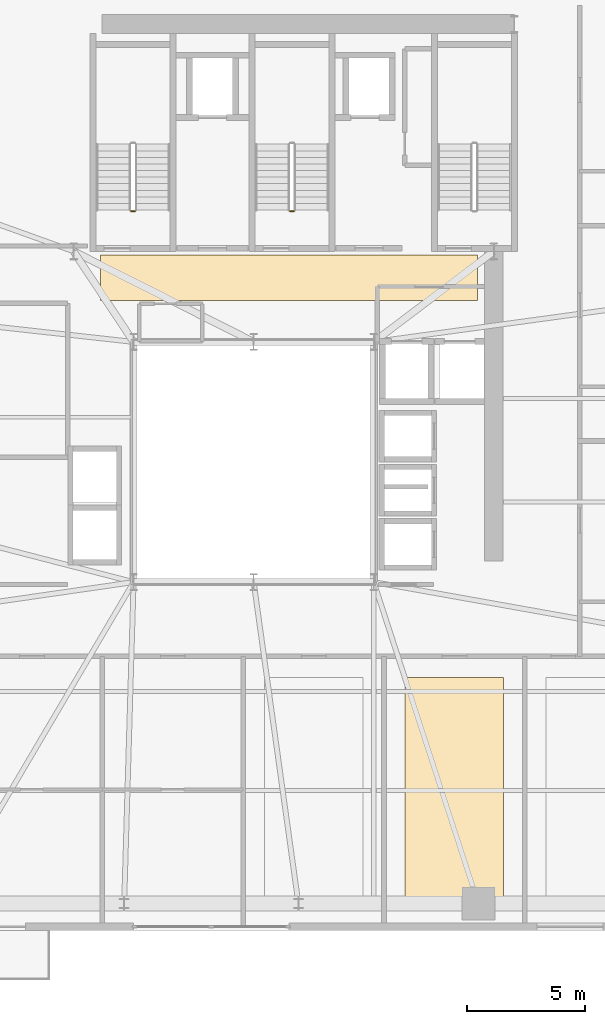
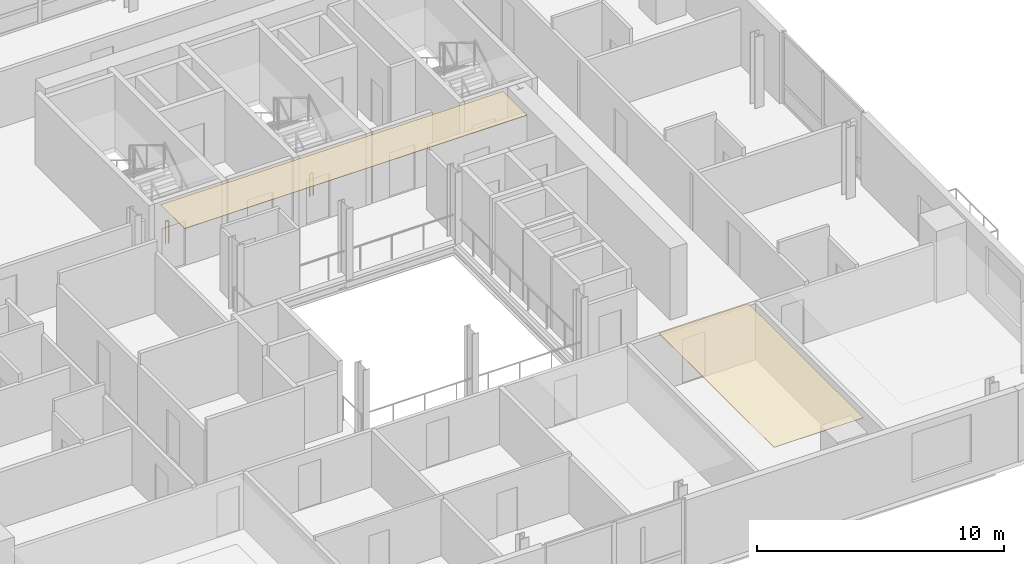
# One storey, part 13 of 16: 2 coverings, 2 railings.
"""IFC4 building model written with IfcOpenShell, lengths in metres."""

import ifcopenshell
import ifcopenshell.guid

model = None  # the IFC model being written
_history = None  # IfcOwnerHistory: only IFC2X3 demands one
_inside = {}  # id of a spatial element -> (the spatial element, [elements in it])
_under = {}  # id of a project, library or spatial element -> (it, [spatial elements below it])
_declared = {}  # id of a project -> (the project, [libraries it declares])
_typed = {}  # id of a type object -> (the type object, [elements of that type])
_made_of = {}  # id of a material, layer set ... -> (it, [elements and type objects made of it])


def new_model(schema):
    """Start an empty IFC model of exactly this schema.

    Asked for "IFC4X3", IfcOpenShell would pick the latest addendum, in which some entities
    have other attributes; the version numbers below select the first issue.
    IFC2X3 requires an IfcOwnerHistory on every rooted entity: one is made here for all.
    """
    global model, _history
    if schema == "IFC4X3":
        model = ifcopenshell.file(schema_version=(4, 3, 0, 0))
    else:
        model = ifcopenshell.file(schema=schema)
    _inside.clear()
    _under.clear()
    _declared.clear()
    _typed.clear()
    _made_of.clear()
    _history = None
    if model.schema == "IFC2X3":
        org = make("IfcOrganization", Name="unknown")
        user = make(
            "IfcPersonAndOrganization",
            ThePerson=make("IfcPerson", FamilyName="unknown"),
            TheOrganization=org,
        )
        app = make(
            "IfcApplication",
            ApplicationDeveloper=org,
            Version="unknown",
            ApplicationFullName="unknown",
            ApplicationIdentifier="unknown",
        )
        _history = make(
            "IfcOwnerHistory",
            OwningUser=user,
            OwningApplication=app,
            ChangeAction="ADDED",
            CreationDate=0,
        )
    return model


def make(cls, **values):
    """One entity of the class cls with the attributes given. An attribute that is None is left unset."""
    return model.create_entity(
        cls, **{name: value for name, value in values.items() if value is not None}
    )


def rooted(cls, **values):
    """An entity with a GlobalId (a new one), such as an element, a storey or a relation."""
    return make(cls, GlobalId=ifcopenshell.guid.new(), OwnerHistory=_history, **values)


def si_unit(unit_type, name, prefix=None):
    """IfcSIUnit, for example si_unit("LENGTHUNIT", "METRE", prefix="MILLI")."""
    return make("IfcSIUnit", UnitType=unit_type, Prefix=prefix, Name=name)


def assignment(units):
    """IfcUnitAssignment: the units of a project."""
    return None if units is None else make("IfcUnitAssignment", Units=units)


def point(xyz):
    """IfcCartesianPoint."""
    return None if xyz is None else make("IfcCartesianPoint", Coordinates=xyz)


def direction(xyz):
    """IfcDirection."""
    return None if xyz is None else make("IfcDirection", DirectionRatios=xyz)


def frame(location, z_axis=None, x_axis=None):
    """IfcAxis2Placement3D, a coordinate frame: its origin and axes. An axis left out is left unset."""
    return make(
        "IfcAxis2Placement3D",
        Location=point(location),
        Axis=direction(z_axis),
        RefDirection=direction(x_axis),
    )


def frame_2d(location, x_axis=None):
    """IfcAxis2Placement2D, a coordinate frame in the plane: its origin and x axis."""
    return make(
        "IfcAxis2Placement2D", Location=point(location), RefDirection=direction(x_axis)
    )


def origin():
    """The frame at (0, 0, 0) with its axes left unset."""
    return frame((0.0, 0.0, 0.0))


def origin_2d():
    """The frame at (0, 0) in the plane with its x axis left unset."""
    return frame_2d((0.0, 0.0))


def place(relative_to, where):
    """IfcLocalPlacement: puts the frame where relative to a parent placement (None: the world)."""
    return make(
        "IfcLocalPlacement", PlacementRelTo=relative_to, RelativePlacement=where
    )


def context(
    kind, dimensions, precision=None, world=None, true_north=None, identifier=None
):
    """IfcGeometricRepresentationContext, for example the 3D "Model" context."""
    return make(
        "IfcGeometricRepresentationContext",
        ContextIdentifier=identifier,
        ContextType=kind,
        CoordinateSpaceDimension=dimensions,
        Precision=precision,
        WorldCoordinateSystem=world,
        TrueNorth=true_north,
    )


def subcontext(parent, identifier, kind, view, scale=None):
    """IfcGeometricRepresentationSubContext, for example "Body" below "Model"."""
    return make(
        "IfcGeometricRepresentationSubContext",
        ContextIdentifier=identifier,
        ContextType=kind,
        ParentContext=parent,
        TargetScale=scale,
        TargetView=view,
    )


def project(units=None, contexts=None):
    """IfcProject with its units and contexts."""
    return rooted(
        "IfcProject",
        Name="project",
        RepresentationContexts=contexts,
        UnitsInContext=assignment(units),
    )


def spatial(cls, under=None, at=None, **own):
    """A site, building, storey or space (cls), placed at a placement, below another one or the project."""
    s = rooted(cls, ObjectPlacement=at, **own)
    if under is not None:
        _under.setdefault(under.id(), (under, []))[1].append(s)
    return s


def polyline(points):
    """IfcPolyline through the points."""
    return make("IfcPolyline", Points=[point(p) for p in points])


def profile(cls, at=None, kind="AREA", **sizes):
    """A parametric profile (cls). Its sizes go by their IFC names, for example OverallWidth=200.0."""
    return make(cls, ProfileType=kind, Position=at, **sizes)


def rectangle(**sizes):
    """IfcRectangleProfileDef."""
    return profile("IfcRectangleProfileDef", **sizes)


def outline(outer, holes=None, kind="AREA"):
    """IfcArbitraryClosedProfileDef: a profile drawn as a closed curve; with holes, ...WithVoids."""
    if holes is None:
        return make("IfcArbitraryClosedProfileDef", ProfileType=kind, OuterCurve=outer)
    return make(
        "IfcArbitraryProfileDefWithVoids",
        ProfileType=kind,
        OuterCurve=outer,
        InnerCurves=holes,
    )


def extrude(swept, where, along, depth):
    """IfcExtrudedAreaSolid: the profile swept, set in the frame where, extruded along a direction by depth."""
    return make(
        "IfcExtrudedAreaSolid",
        SweptArea=swept,
        Position=where,
        ExtrudedDirection=direction(along),
        Depth=depth,
    )


def shape(context_of_items, identifier, shape_type, items):
    """IfcShapeRepresentation: the items that make up one representation, for example the "Body"."""
    return make(
        "IfcShapeRepresentation",
        ContextOfItems=context_of_items,
        RepresentationIdentifier=identifier,
        RepresentationType=shape_type,
        Items=items,
    )


def source(mapping_origin, context_of_items, identifier, shape_type, items):
    """IfcRepresentationMap: a shape defined once, which mapped items show again and again."""
    return make(
        "IfcRepresentationMap",
        MappingOrigin=mapping_origin,
        MappedRepresentation=shape(context_of_items, identifier, shape_type, items),
    )


def transform(
    local_origin,
    x_axis=None,
    y_axis=None,
    z_axis=None,
    scale=None,
    scale2=None,
    scale3=None,
    uniform=True,
):
    """IfcCartesianTransformationOperator3D, or its non-uniform kind. x_axis, y_axis, z_axis: its Axis1, 2, 3."""
    if uniform:
        return make(
            "IfcCartesianTransformationOperator3D",
            Axis1=direction(x_axis),
            Axis2=direction(y_axis),
            LocalOrigin=point(local_origin),
            Scale=scale,
            Axis3=direction(z_axis),
        )
    return make(
        "IfcCartesianTransformationOperator3DnonUniform",
        Axis1=direction(x_axis),
        Axis2=direction(y_axis),
        LocalOrigin=point(local_origin),
        Scale=scale,
        Axis3=direction(z_axis),
        Scale2=scale2,
        Scale3=scale3,
    )


def mapped(mapping_source, mapping_target):
    """IfcMappedItem: shows the shape of a source again, moved by a transform."""
    return make(
        "IfcMappedItem", MappingSource=mapping_source, MappingTarget=mapping_target
    )


def material(Name=None, Category=None):
    """IfcMaterial."""
    return make("IfcMaterial", Name=Name, Category=Category)


def layer(
    of_material, thickness, ventilated=None, Name=None, Category=None, Priority=None
):
    """IfcMaterialLayer: one layer of a wall or slab, of a material (None: an air gap)."""
    return make(
        "IfcMaterialLayer",
        Material=of_material,
        LayerThickness=thickness,
        IsVentilated=ventilated,
        Name=Name,
        Category=Category,
        Priority=Priority,
    )


def layer_set(layers, Name=None):
    """IfcMaterialLayerSet."""
    return make("IfcMaterialLayerSet", MaterialLayers=layers, LayerSetName=Name)


def made_of(thing, what):
    """Note that an element or type object is made of a material, layer set ...; save() writes the relation."""
    if what is not None:
        _made_of.setdefault(what.id(), (what, []))[1].append(thing)
    return thing


def type_object(cls, material=None, **own):
    """A type object (cls), such as IfcWallType, which elements share."""
    return made_of(rooted(cls, **own), material)


def element(
    cls,
    number,
    at=None,
    inside=None,
    cuts=None,
    type_object=None,
    material=None,
    context=None,
    identifier="Body",
    shape_type=None,
    held_by="IfcProductDefinitionShape",
    body=None,
    shapes=None,
    **own,
):
    """One element of the class cls, such as IfcWall. Its Tag is "e" and its number.

    at: its placement. inside: the storey or other place that contains it. cuts: it is an
    opening in that element (IfcRelVoidsElement). A single representation is given by context,
    identifier, shape_type and body (its items); several are given by shapes. held_by: the class
    of the entity that holds the representations. save() writes the other relations.
    """
    e = rooted(cls, Tag="e%d" % number, ObjectPlacement=at, **own)
    if body is not None:
        shapes = [shape(context, identifier, shape_type, body)]
    if shapes is not None:
        e.Representation = make(held_by, Representations=shapes)
    if inside is not None:
        _inside.setdefault(inside.id(), (inside, []))[1].append(e)
    if cuts is not None:
        rooted(
            "IfcRelVoidsElement", RelatingBuildingElement=cuts, RelatedOpeningElement=e
        )
    if type_object is not None:
        _typed.setdefault(type_object.id(), (type_object, []))[1].append(e)
    return made_of(e, material)


def aggregate(whole, parts):
    """IfcRelAggregates: a whole, such as a stair, and the parts it consists of."""
    return rooted("IfcRelAggregates", RelatingObject=whole, RelatedObjects=parts)


def save(model, path):
    """Write the relations noted so far, then the file.

    IfcRelAggregates (storeys below a building ...), IfcRelContainedInSpatialStructure (elements
    in a storey), IfcRelDefinesByType, IfcRelAssociatesMaterial and IfcRelDeclares: one each for
    every whole, place, type object, material and project.
    """
    for whole, parts in _under.values():
        aggregate(whole, parts)
    for where, things in _inside.values():
        rooted(
            "IfcRelContainedInSpatialStructure",
            RelatedElements=things,
            RelatingStructure=where,
        )
    for kind, things in _typed.values():
        rooted("IfcRelDefinesByType", RelatedObjects=things, RelatingType=kind)
    for what, things in _made_of.values():
        rooted("IfcRelAssociatesMaterial", RelatedObjects=things, RelatingMaterial=what)
    for by, libraries in _declared.values():
        rooted("IfcRelDeclares", RelatingContext=by, RelatedDefinitions=libraries)
    model.write(path)


model = new_model("IFC4")

# Units and contexts
model_context = context("Model", 3, precision=1e-05, world=origin(), true_north=direction((0.0, 1.0)))
body_context = subcontext(model_context, "Body", "Model", "MODEL_VIEW")
ifc_project = project(units=[si_unit("LENGTHUNIT", "METRE"), si_unit("AREAUNIT", "SQUARE_METRE"), si_unit("VOLUMEUNIT", "CUBIC_METRE"), si_unit("PLANEANGLEUNIT", "RADIAN"), si_unit("MASSUNIT", "GRAM", prefix="KILO")], contexts=[model_context])

# Site, building, storey
site_placement = place(None, origin())
site = spatial("IfcSite", under=ifc_project, at=site_placement, CompositionType="ELEMENT")
building_placement = place(site_placement, origin())
building = spatial("IfcBuilding", under=site, at=building_placement, Name="Vardaveli Station Tower", CompositionType="ELEMENT")
storey_placement = place(building_placement, frame((0.0, 0.0, 203.550048828125)))
storey = spatial("IfcBuildingStorey", under=building, at=storey_placement, Name="L52", CompositionType="ELEMENT", Elevation=203.550048828125)

# Coverings
ifc_material_1 = material(Name="Perforated acoustic mineral ceiling")
ifc_layer = layer(ifc_material_1, 0.02001953125, Name="Perforated acoustic mineral ceiling")
ifc_layer_set = layer_set([ifc_layer], Name="Perforated acoustic mineral ceiling")
covering_type = type_object("IfcCoveringType", Name="COV-CEIL-AC20", PredefinedType="CEILING", material=ifc_layer_set)
covering_1_placement = place(storey_placement, frame((0.0, 0.0, 3.514892578125)))
element("IfcCovering", 1, at=covering_1_placement, inside=storey, type_object=covering_type, Name="CEIL-L52-3", PredefinedType="CEILING", context=body_context, shape_type="SweptSolid", body=[
    extrude(outline(polyline([(42.737548828125, 3.25), (46.919921875, 3.25), (46.919921875, 12.550048828125), (42.737548828125, 12.550048828125), (42.737548828125, 3.25)])), origin(), (0.0, 0.0, 1.0), 0.02001953125),
])
covering_2_placement = place(storey_placement, frame((0.0, 0.0, 3.514892578125)))
element("IfcCovering", 2, at=covering_2_placement, inside=storey, type_object=covering_type, Name="CEIL-L52-5", PredefinedType="CEILING", context=body_context, shape_type="SweptSolid", body=[
    extrude(outline(polyline([(29.800048828125, 28.550048828125), (45.800048828125, 28.550048828125), (45.800048828125, 30.5), (29.800048828125, 30.5), (29.800048828125, 28.550048828125)])), origin(), (0.0, 0.0, 1.0), 0.02001953125),
])

# Railings
ifc_material_2 = material(Name="Brushed AISI 316 stainless steel", Category="steel")
railing_type = type_object("IfcRailingType", Name="RL-GUARD-1150", PredefinedType="GUARDRAIL", material=ifc_material_2)
shared_shape = source(origin(), body_context, "Body", "SweptSolid", [
    extrude(rectangle(XDim=0.048095703125, YDim=0.048095703125, at=origin_2d()), frame((0.0, 0.0, 1.1259765625), z_axis=(-1.0, 0.0, 0.0), x_axis=(0.0, -1.0, 0.0)), (0.0, 0.0, 1.0), 0.14990234375),
    extrude(rectangle(XDim=0.0419921875, YDim=0.0419921875, at=origin_2d()), origin(), (0.0, 0.0, 1.0), 1.101806640625),
    extrude(rectangle(XDim=0.0419921875, YDim=0.0419921875, at=origin_2d()), frame((-0.14990234375, 0.0, 0.0)), (0.0, 0.0, 1.0), 1.101806640625),
])
for number, where, name in (
    (3, (31.25, 32.35009765625, 0.0), "L52 ST-1 stair guard 4"),
    (4, (38.0, 32.35009765625, 0.0), "L52 ST-2 stair guard 4"),
):
    element("IfcRailing", number, at=place(storey_placement, frame(where)), inside=storey, type_object=railing_type, Name=name, PredefinedType="GUARDRAIL", context=body_context, shape_type="MappedRepresentation", body=[
        mapped(shared_shape, transform((0.0, 0.0, 0.0), scale=1.0)),
    ])

save(model, "model.ifc")
